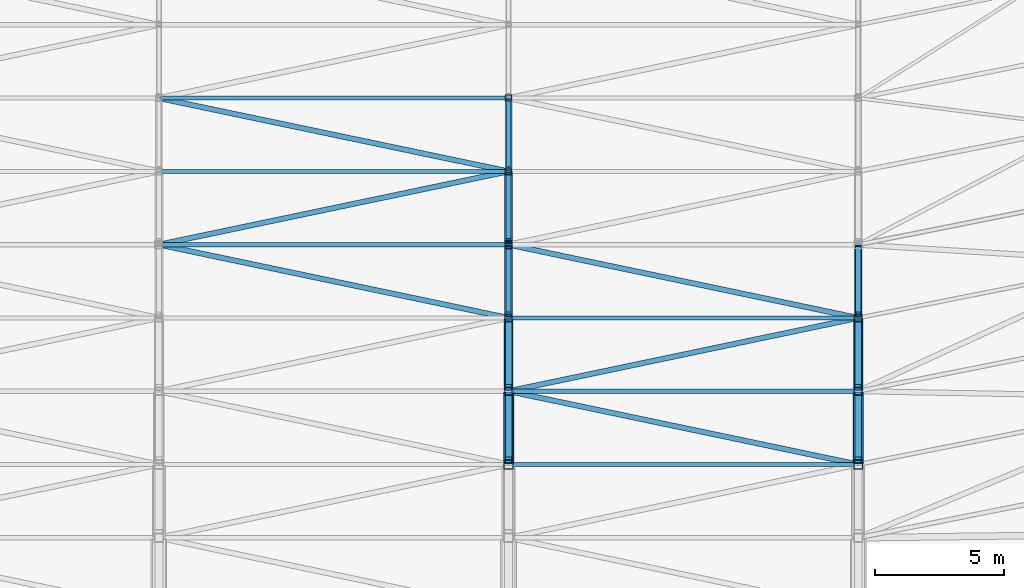
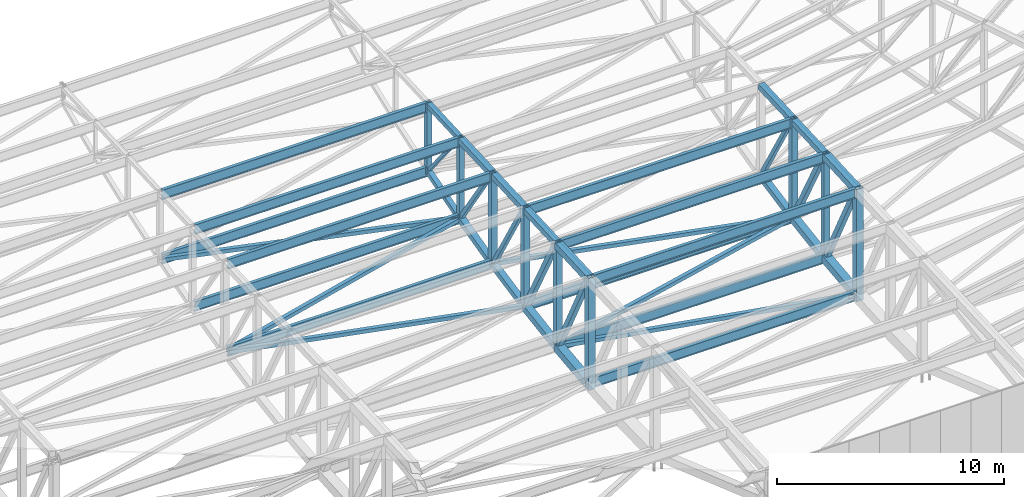
# One storey, part 23 of 278: 26 members, 25 beams.
"""IFC4 building model written with IfcOpenShell, lengths in metres."""

from ifc_helpers import new_model, si_unit, direction, frame, origin, origin_2d, place, context, subcontext, project, spatial, hollow_rectangle, i_section, extrude, material, material_profile, profile_set, type_object, element, save


model = new_model("IFC4")

# Units and contexts
model_context = context("Model", 3, precision=1e-05, world=origin(), true_north=direction((0.0, 1.0)))
body_context = subcontext(model_context, "Body", "Model", "MODEL_VIEW")
ifc_project = project(units=[si_unit("LENGTHUNIT", "METRE"), si_unit("AREAUNIT", "SQUARE_METRE"), si_unit("VOLUMEUNIT", "CUBIC_METRE"), si_unit("PLANEANGLEUNIT", "RADIAN"), si_unit("MASSUNIT", "GRAM", prefix="KILO")], contexts=[model_context])

# Site, building, storey
site_placement = place(None, origin())
site = spatial("IfcSite", under=ifc_project, at=site_placement, CompositionType="ELEMENT")
building_placement = place(site_placement, origin())
building = spatial("IfcBuilding", under=site, at=building_placement, Name="Ogive Plaza Stadium", CompositionType="ELEMENT")
storey_placement = place(building_placement, frame((0.0, 0.0, 29.0)))
storey = spatial("IfcBuildingStorey", under=building, at=storey_placement, Name="Roof", CompositionType="ELEMENT", Elevation=29.0)

# Members
ifc_material_1 = material(Name="Steel ASTM A500 Grade C", Category="steel")
ifc_material_profile_1 = material_profile(ifc_material_1, hollow_rectangle(XDim=0.203125, YDim=0.203125, WallThickness=0.0087890625, at=origin_2d()), Name="HSS8X8X3/8")
ifc_profile_set_1 = profile_set([ifc_material_profile_1], Name="Steel ASTM A500 Grade C")
member_type_1 = type_object("IfcMemberType", Name="Roof plan brace HSS8X8X3/8", PredefinedType="BRACE", material=ifc_profile_set_1)
member_1_placement = place(storey_placement, frame((20.5439453125, -78.280029296875, 1.752685546875), z_axis=(0.977965523229, -0.204948228106, -0.039744926357), x_axis=(0.205110294312, 0.978738865667, 0.0)))
element("IfcMember", 1, at=member_1_placement, inside=storey, type_object=member_type_1, Name="ROOF BRACE B12 6", PredefinedType="BRACE", context=body_context, shape_type="SweptSolid", body=[
    extrude(hollow_rectangle(XDim=0.203125, YDim=0.203125, WallThickness=0.0087890625, at=origin_2d()), origin(), (0.0, 0.0, 1.0), 13.6123046875),
])
member_2_placement = place(storey_placement, frame((33.856201171875, -81.130126953125, 1.201416015625), z_axis=(-0.978282447902, -0.205014644711, -0.030536004664), x_axis=(0.205110294312, -0.978738865667, 0.0)))
element("IfcMember", 2, at=member_2_placement, inside=storey, type_object=member_type_1, Name="ROOF BRACE B12 7", PredefinedType="BRACE", context=body_context, shape_type="SweptSolid", body=[
    extrude(hollow_rectangle(XDim=0.203125, YDim=0.203125, WallThickness=0.0087890625, at=origin_2d()), origin(), (0.0, 0.0, 1.0), 13.607666015625),
])
member_3_placement = place(storey_placement, frame((20.5439453125, -83.980224609375, 0.778564453125), z_axis=(0.978554365022, -0.205067940633, -0.019454933079), x_axis=(0.205106760189, 0.978739606292, 0.0)))
element("IfcMember", 3, at=member_3_placement, inside=storey, type_object=member_type_1, Name="ROOF BRACE B12 8", PredefinedType="BRACE", context=body_context, shape_type="SweptSolid", body=[
    extrude(hollow_rectangle(XDim=0.203125, YDim=0.203125, WallThickness=0.0087890625, at=origin_2d()), origin(), (0.0, 0.0, 1.0), 13.578125),
])
member_4_placement = place(storey_placement, frame((6.89306640625, -72.569580078125, 3.269775390625), z_axis=(0.977081723689, -0.204756162013, -0.058191230868), x_axis=(0.205103719581, 0.978740243483, 0.0)))
element("IfcMember", 4, at=member_4_placement, inside=storey, type_object=member_type_1, Name="ROOF BRACE B13 4", PredefinedType="BRACE", context=body_context, shape_type="SweptSolid", body=[
    extrude(hollow_rectangle(XDim=0.203125, YDim=0.203125, WallThickness=0.0087890625, at=origin_2d()), origin(), (0.0, 0.0, 1.0), 13.702392578125),
])
member_5_placement = place(storey_placement, frame((20.281494140625, -75.4248046875, 2.459228515625), z_axis=(-0.977474612888, -0.204849020574, -0.05079625901), x_axis=(0.205113814972, -0.97873812785, 0.0)))
element("IfcMember", 5, at=member_5_placement, inside=storey, type_object=member_type_1, Name="ROOF BRACE B13 5", PredefinedType="BRACE", context=body_context, shape_type="SweptSolid", body=[
    extrude(hollow_rectangle(XDim=0.203125, YDim=0.203125, WallThickness=0.0087890625, at=origin_2d()), origin(), (0.0, 0.0, 1.0), 13.64501953125),
])
member_6_placement = place(storey_placement, frame((6.94384765625, -78.280029296875, 1.752685546875), z_axis=(0.977965523229, -0.204948228106, -0.039744926357), x_axis=(0.205110294312, 0.978738865667, 0.0)))
element("IfcMember", 6, at=member_6_placement, inside=storey, type_object=member_type_1, Name="ROOF BRACE B13 6", PredefinedType="BRACE", context=body_context, shape_type="SweptSolid", body=[
    extrude(hollow_rectangle(XDim=0.203125, YDim=0.203125, WallThickness=0.0087890625, at=origin_2d()), origin(), (0.0, 0.0, 1.0), 13.6123046875),
])
ifc_material_2 = material(Name="Steel ASTM A992 Grade 50", Category="steel")
ifc_material_profile_2 = material_profile(ifc_material_2, i_section(OverallWidth=0.1650390625, OverallDepth=0.524658203125, WebThickness=0.0087890625, FlangeThickness=0.011474609375, at=origin_2d()), Name="W21X44")
ifc_profile_set_2 = profile_set([ifc_material_profile_2], Name="Steel ASTM A992 Grade 50")
member_type_2 = type_object("IfcMemberType", Name="Roof plan strut W21X44", PredefinedType="STRUT", material=ifc_profile_set_2)
for number, where, z_axis, x_axis, name in (
    (7, (33.877685546875, -81.10009765625, 1.205810546875), (-1.0, 0.0, 0.0), (0.0, -1.0, 0.0), "ROOF STRUT B12 6"),
    (8, (33.877685546875, -83.949951171875, 0.781494140625), (-1.0, 0.0, 0.0), (0.0, -1.0, 0.0), "ROOF STRUT B12 7"),
):
    element("IfcMember", number, at=place(storey_placement, frame(where, z_axis=z_axis, x_axis=x_axis)), inside=storey, type_object=member_type_2, Name=name, PredefinedType="STRUT", context=body_context, shape_type="SweptSolid", body=[
        extrude(i_section(OverallWidth=0.1650390625, OverallDepth=0.524658203125, WebThickness=0.0087890625, FlangeThickness=0.011474609375, at=origin_2d()), origin(), (0.0, 0.0, 1.0), 13.355224609375),
    ])
member_7_placement = place(storey_placement, frame((33.852294921875, -86.800048828125, 0.510986328125), z_axis=(-1.0, 0.0, 0.0), x_axis=(0.0, -1.0, 0.0)))
element("IfcMember", 9, at=member_7_placement, inside=storey, type_object=member_type_2, Name="ROOF STRUT B12 8", PredefinedType="STRUT", context=body_context, shape_type="SweptSolid", body=[
    extrude(i_section(OverallWidth=0.1650390625, OverallDepth=0.524658203125, WebThickness=0.0087890625, FlangeThickness=0.011474609375, at=origin_2d()), origin(), (0.0, 0.0, 1.0), 13.304443359375),
])
member_8_placement = place(storey_placement, frame((20.328369140625, -72.550048828125, 3.275146484375), z_axis=(-1.0, 0.0, 0.0), x_axis=(0.0, -1.0, 0.0)))
element("IfcMember", 10, at=member_8_placement, inside=storey, type_object=member_type_2, Name="ROOF STRUT B13 3", PredefinedType="STRUT", context=body_context, shape_type="SweptSolid", body=[
    extrude(i_section(OverallWidth=0.1650390625, OverallDepth=0.524658203125, WebThickness=0.0087890625, FlangeThickness=0.011474609375, at=origin_2d()), origin(), (0.0, 0.0, 1.0), 13.456787109375),
])
member_9_placement = place(storey_placement, frame((20.302978515625, -75.39990234375, 2.46533203125), z_axis=(-1.0, 0.0, 0.0), x_axis=(0.0, -1.0, 0.0)))
element("IfcMember", 11, at=member_9_placement, inside=storey, type_object=member_type_2, Name="ROOF STRUT B13 4", PredefinedType="STRUT", context=body_context, shape_type="SweptSolid", body=[
    extrude(i_section(OverallWidth=0.1650390625, OverallDepth=0.524658203125, WebThickness=0.0087890625, FlangeThickness=0.011474609375, at=origin_2d()), origin(), (0.0, 0.0, 1.0), 13.406005859375),
])
member_10_placement = place(storey_placement, frame((20.277587890625, -78.25, 1.758544921875), z_axis=(-1.0, 0.0, 0.0), x_axis=(0.0, -1.0, 0.0)))
element("IfcMember", 12, at=member_10_placement, inside=storey, type_object=member_type_2, Name="ROOF STRUT B13 5", PredefinedType="STRUT", context=body_context, shape_type="SweptSolid", body=[
    extrude(i_section(OverallWidth=0.1650390625, OverallDepth=0.524658203125, WebThickness=0.0087890625, FlangeThickness=0.011474609375, at=origin_2d()), origin(), (0.0, 0.0, 1.0), 13.355224609375),
])
ifc_material_3 = material(Name="Steel ASTM A992 Grade 50", Category="steel")
ifc_material_profile_3 = material_profile(ifc_material_3, i_section(OverallWidth=0.1650390625, OverallDepth=0.524658203125, WebThickness=0.0087890625, FlangeThickness=0.011474609375, at=origin_2d()), Name="W21X44")
ifc_profile_set_3 = profile_set([ifc_material_profile_3], Name="Steel ASTM A992 Grade 50")
member_type_3 = type_object("IfcMemberType", Name="Roof purlin W21X44", PredefinedType="PURLIN", material=ifc_profile_set_3)
for number, where, z_axis, x_axis, name in (
    (13, (33.877685546875, -81.10009765625, 6.3076171875), (-1.0, 0.0, 0.0), (0.0, -1.0, 0.0), "ROOF PURLIN B12 6"),
    (14, (33.877685546875, -83.949951171875, 6.1650390625), (-1.0, 0.0, 0.0), (0.0, -1.0, 0.0), "ROOF PURLIN B12 7"),
):
    element("IfcMember", number, at=place(storey_placement, frame(where, z_axis=z_axis, x_axis=x_axis)), inside=storey, type_object=member_type_3, Name=name, PredefinedType="PURLIN", context=body_context, shape_type="SweptSolid", body=[
        extrude(i_section(OverallWidth=0.1650390625, OverallDepth=0.524658203125, WebThickness=0.0087890625, FlangeThickness=0.011474609375, at=origin_2d()), origin(), (0.0, 0.0, 1.0), 13.355224609375),
    ])
member_11_placement = place(storey_placement, frame((33.852294921875, -86.800048828125, 6.022705078125), z_axis=(-1.0, 0.0, 0.0), x_axis=(0.0, -1.0, 0.0)))
element("IfcMember", 15, at=member_11_placement, inside=storey, type_object=member_type_3, Name="ROOF PURLIN B12 8", PredefinedType="PURLIN", context=body_context, shape_type="SweptSolid", body=[
    extrude(i_section(OverallWidth=0.1650390625, OverallDepth=0.524658203125, WebThickness=0.0087890625, FlangeThickness=0.011474609375, at=origin_2d()), origin(), (0.0, 0.0, 1.0), 13.304443359375),
])
member_12_placement = place(storey_placement, frame((20.328369140625, -72.550048828125, 6.735107421875), z_axis=(-1.0, 0.0, 0.0), x_axis=(0.0, -1.0, 0.0)))
element("IfcMember", 16, at=member_12_placement, inside=storey, type_object=member_type_3, Name="ROOF PURLIN B13 3", PredefinedType="PURLIN", context=body_context, shape_type="SweptSolid", body=[
    extrude(i_section(OverallWidth=0.1650390625, OverallDepth=0.524658203125, WebThickness=0.0087890625, FlangeThickness=0.011474609375, at=origin_2d()), origin(), (0.0, 0.0, 1.0), 13.456787109375),
])
member_13_placement = place(storey_placement, frame((20.302978515625, -75.39990234375, 6.592529296875), z_axis=(-1.0, 0.0, 0.0), x_axis=(0.0, -1.0, 0.0)))
element("IfcMember", 17, at=member_13_placement, inside=storey, type_object=member_type_3, Name="ROOF PURLIN B13 4", PredefinedType="PURLIN", context=body_context, shape_type="SweptSolid", body=[
    extrude(i_section(OverallWidth=0.1650390625, OverallDepth=0.524658203125, WebThickness=0.0087890625, FlangeThickness=0.011474609375, at=origin_2d()), origin(), (0.0, 0.0, 1.0), 13.406005859375),
])
member_14_placement = place(storey_placement, frame((20.277587890625, -78.25, 6.4501953125), z_axis=(-1.0, 0.0, 0.0), x_axis=(0.0, -1.0, 0.0)))
element("IfcMember", 18, at=member_14_placement, inside=storey, type_object=member_type_3, Name="ROOF PURLIN B13 5", PredefinedType="PURLIN", context=body_context, shape_type="SweptSolid", body=[
    extrude(i_section(OverallWidth=0.1650390625, OverallDepth=0.524658203125, WebThickness=0.0087890625, FlangeThickness=0.011474609375, at=origin_2d()), origin(), (0.0, 0.0, 1.0), 13.355224609375),
])

# Beams
ifc_material_4 = material(Name="Steel ASTM A500 Grade C", Category="steel")
ifc_material_profile_4 = material_profile(ifc_material_4, hollow_rectangle(XDim=0.25390625, YDim=0.25390625, WallThickness=0.01171875, at=origin_2d()), Name="HSS10X10X1/2")
ifc_profile_set_4 = profile_set([ifc_material_profile_4], Name="Steel ASTM A500 Grade C")
beam_type_1 = type_object("IfcBeamType", Name="Roof truss bottom chord HSS10X10X1/2", PredefinedType="BEAM", material=ifc_profile_set_4)
beam_1_placement = place(storey_placement, frame((20.39990234375, -72.60009765625, 3.265869140625), z_axis=(0.0, -0.959640437259, -0.281229854705), x_axis=(1.0, 0.0, 0.0)))
element("IfcBeam", 19, at=beam_1_placement, inside=storey, type_object=beam_type_1, Name="ROOF TRUSS T13 BOTTOM CHORD 4", PredefinedType="BEAM", context=body_context, shape_type="SweptSolid", body=[
    extrude(hollow_rectangle(XDim=0.25390625, YDim=0.25390625, WallThickness=0.01171875, at=origin_2d()), origin(), (0.0, 0.0, 1.0), 2.86572265625),
])
ifc_material_5 = material(Name="Steel ASTM A500 Grade C", Category="steel")
ifc_material_profile_5 = material_profile(ifc_material_5, hollow_rectangle(XDim=0.3046875, YDim=0.3046875, WallThickness=0.0146484375, at=origin_2d()), Name="HSS12X12X5/8")
ifc_profile_set_5 = profile_set([ifc_material_profile_5], Name="Steel ASTM A500 Grade C")
beam_type_2 = type_object("IfcBeamType", Name="Roof truss bottom chord HSS12X12X5/8", PredefinedType="BEAM", material=ifc_profile_set_5)
beam_2_placement = place(storey_placement, frame((34.0, -78.300048828125, 1.751708984375), z_axis=(0.0, -0.980021250437, -0.19889280704), x_axis=(1.0, 0.0, 0.0)))
element("IfcBeam", 20, at=beam_2_placement, inside=storey, type_object=beam_type_2, Name="ROOF TRUSS T12 BOTTOM CHORD 6", PredefinedType="BEAM", context=body_context, shape_type="SweptSolid", body=[
    extrude(hollow_rectangle(XDim=0.3046875, YDim=0.3046875, WallThickness=0.0146484375, at=origin_2d()), origin(), (0.0, 0.0, 1.0), 2.80615234375),
])
beam_3_placement = place(storey_placement, frame((20.39990234375, -75.449951171875, 2.45751953125), z_axis=(0.0, -0.970607032995, -0.240669872439), x_axis=(1.0, 0.0, 0.0)))
element("IfcBeam", 21, at=beam_3_placement, inside=storey, type_object=beam_type_2, Name="ROOF TRUSS T13 BOTTOM CHORD 5", PredefinedType="BEAM", context=body_context, shape_type="SweptSolid", body=[
    extrude(hollow_rectangle(XDim=0.3046875, YDim=0.3046875, WallThickness=0.0146484375, at=origin_2d()), origin(), (0.0, 0.0, 1.0), 2.833251953125),
])
beam_4_placement = place(storey_placement, frame((20.39990234375, -78.300048828125, 1.751708984375), z_axis=(0.0, -0.980021250437, -0.19889280704), x_axis=(1.0, 0.0, 0.0)))
element("IfcBeam", 22, at=beam_4_placement, inside=storey, type_object=beam_type_2, Name="ROOF TRUSS T13 BOTTOM CHORD 6", PredefinedType="BEAM", context=body_context, shape_type="SweptSolid", body=[
    extrude(hollow_rectangle(XDim=0.3046875, YDim=0.3046875, WallThickness=0.0146484375, at=origin_2d()), origin(), (0.0, 0.0, 1.0), 2.80615234375),
])
ifc_material_6 = material(Name="Steel ASTM A500 Grade C", Category="steel")
ifc_material_profile_6 = material_profile(ifc_material_6, hollow_rectangle(XDim=0.355712890625, YDim=0.355712890625, WallThickness=0.0146484375, at=origin_2d()), Name="HSS14X14X5/8")
ifc_profile_set_6 = profile_set([ifc_material_profile_6], Name="Steel ASTM A500 Grade C")
beam_type_3 = type_object("IfcBeamType", Name="Roof truss bottom chord HSS14X14X5/8", PredefinedType="BEAM", material=ifc_profile_set_6)
for number, where, z_axis, x_axis, name in (
    (23, (34.0, -81.14990234375, 1.2001953125), (0.0, -0.987770074518, -0.155917541947), (1.0, 0.0, 0.0), "ROOF TRUSS T12 BOTTOM CHORD 7"),
    (24, (20.39990234375, -81.14990234375, 1.2001953125), (0.0, -0.987770074518, -0.155917541947), (1.0, 0.0, 0.0), "ROOF TRUSS T13 BOTTOM CHORD 7"),
):
    element("IfcBeam", number, at=place(storey_placement, frame(where, z_axis=z_axis, x_axis=x_axis)), inside=storey, type_object=beam_type_3, Name=name, PredefinedType="BEAM", context=body_context, shape_type="SweptSolid", body=[
        extrude(hollow_rectangle(XDim=0.355712890625, YDim=0.355712890625, WallThickness=0.0146484375, at=origin_2d()), origin(), (0.0, 0.0, 1.0), 2.783935546875),
    ])
ifc_material_7 = material(Name="Steel ASTM A500 Grade C", Category="steel")
ifc_material_profile_7 = material_profile(ifc_material_7, hollow_rectangle(XDim=0.406494140625, YDim=0.406494140625, WallThickness=0.0146484375, at=origin_2d()), Name="HSS16X16X5/8")
ifc_profile_set_7 = profile_set([ifc_material_profile_7], Name="Steel ASTM A500 Grade C")
beam_type_4 = type_object("IfcBeamType", Name="Roof truss bottom chord HSS16X16X5/8", PredefinedType="BEAM", material=ifc_profile_set_7)
for number, where, z_axis, x_axis, name in (
    (25, (34.0, -84.0, 0.777099609375), (0.0, -0.993703844406, -0.112038696946), (1.0, 0.0, 0.0), "ROOF TRUSS T12 BOTTOM CHORD 8"),
    (26, (20.39990234375, -84.0, 0.777099609375), (0.0, -0.993703844406, -0.112038696946), (1.0, 0.0, 0.0), "ROOF TRUSS T13 BOTTOM CHORD 8"),
):
    element("IfcBeam", number, at=place(storey_placement, frame(where, z_axis=z_axis, x_axis=x_axis)), inside=storey, type_object=beam_type_4, Name=name, PredefinedType="BEAM", context=body_context, shape_type="SweptSolid", body=[
        extrude(hollow_rectangle(XDim=0.406494140625, YDim=0.406494140625, WallThickness=0.0146484375, at=origin_2d()), origin(), (0.0, 0.0, 1.0), 2.767333984375),
    ])

# Members
ifc_material_8 = material(Name="Steel ASTM A500 Grade C", Category="steel")
ifc_material_profile_8 = material_profile(ifc_material_8, hollow_rectangle(XDim=0.25390625, YDim=0.25390625, WallThickness=0.0087890625, at=origin_2d()), Name="HSS10X10X3/8")
ifc_profile_set_8 = profile_set([ifc_material_profile_8], Name="Steel ASTM A500 Grade C")
member_type_4 = type_object("IfcMemberType", Name="Roof truss diagonal HSS10X10X3/8", PredefinedType="BRACE", material=ifc_profile_set_8)
member_15_placement = place(storey_placement, frame((34.0, -81.25244140625, 1.383544921875), z_axis=(0.0, -0.473127942579, 0.880993728667), x_axis=(1.0, 0.0, 0.0)))
element("IfcMember", 27, at=member_15_placement, inside=storey, type_object=member_type_4, Name="ROOF TRUSS T12 DIAGONAL 7", PredefinedType="BRACE", context=body_context, shape_type="SweptSolid", body=[
    extrude(hollow_rectangle(XDim=0.25390625, YDim=0.25390625, WallThickness=0.0087890625, at=origin_2d()), origin(), (0.0, 0.0, 1.0), 5.37939453125),
])
member_16_placement = place(storey_placement, frame((34.0, -84.102294921875, 0.984619140625), z_axis=(0.0, -0.454062843231, 0.890969659639), x_axis=(1.0, 0.0, 0.0)))
element("IfcMember", 28, at=member_16_placement, inside=storey, type_object=member_type_4, Name="ROOF TRUSS T12 DIAGONAL 8", PredefinedType="BRACE", context=body_context, shape_type="SweptSolid", body=[
    extrude(hollow_rectangle(XDim=0.25390625, YDim=0.25390625, WallThickness=0.0087890625, at=origin_2d()), origin(), (0.0, 0.0, 1.0), 5.550048828125),
])
member_17_placement = place(storey_placement, frame((20.39990234375, -81.25244140625, 1.383544921875), z_axis=(0.0, -0.473127942579, 0.880993728667), x_axis=(1.0, 0.0, 0.0)))
element("IfcMember", 29, at=member_17_placement, inside=storey, type_object=member_type_4, Name="ROOF TRUSS T13 DIAGONAL 7", PredefinedType="BRACE", context=body_context, shape_type="SweptSolid", body=[
    extrude(hollow_rectangle(XDim=0.25390625, YDim=0.25390625, WallThickness=0.0087890625, at=origin_2d()), origin(), (0.0, 0.0, 1.0), 5.37939453125),
])
member_18_placement = place(storey_placement, frame((20.39990234375, -84.102294921875, 0.984619140625), z_axis=(0.0, -0.454062843231, 0.890969659639), x_axis=(1.0, 0.0, 0.0)))
element("IfcMember", 30, at=member_18_placement, inside=storey, type_object=member_type_4, Name="ROOF TRUSS T13 DIAGONAL 8", PredefinedType="BRACE", context=body_context, shape_type="SweptSolid", body=[
    extrude(hollow_rectangle(XDim=0.25390625, YDim=0.25390625, WallThickness=0.0087890625, at=origin_2d()), origin(), (0.0, 0.0, 1.0), 5.550048828125),
])
ifc_material_9 = material(Name="Steel ASTM A500 Grade C", Category="steel")
ifc_material_profile_9 = material_profile(ifc_material_9, hollow_rectangle(XDim=0.15234375, YDim=0.15234375, WallThickness=0.0087890625, at=origin_2d()), Name="HSS6X6X3/8")
ifc_profile_set_9 = profile_set([ifc_material_profile_9], Name="Steel ASTM A500 Grade C")
member_type_5 = type_object("IfcMemberType", Name="Roof truss diagonal HSS6X6X3/8", PredefinedType="BRACE", material=ifc_profile_set_9)
member_19_placement = place(storey_placement, frame((20.39990234375, -72.677001953125, 3.40234375), z_axis=(0.0, -0.630150764463, 0.77647280316), x_axis=(1.0, 0.0, 0.0)))
element("IfcMember", 31, at=member_19_placement, inside=storey, type_object=member_type_5, Name="ROOF TRUSS T13 DIAGONAL 4", PredefinedType="BRACE", context=body_context, shape_type="SweptSolid", body=[
    extrude(hollow_rectangle(XDim=0.15234375, YDim=0.15234375, WallThickness=0.0087890625, at=origin_2d()), origin(), (0.0, 0.0, 1.0), 4.11962890625),
])
ifc_material_10 = material(Name="Steel ASTM A500 Grade C", Category="steel")
ifc_material_profile_10 = material_profile(ifc_material_10, hollow_rectangle(XDim=0.203125, YDim=0.203125, WallThickness=0.0087890625, at=origin_2d()), Name="HSS8X8X3/8")
ifc_profile_set_10 = profile_set([ifc_material_profile_10], Name="Steel ASTM A500 Grade C")
member_type_6 = type_object("IfcMemberType", Name="Roof truss diagonal HSS8X8X3/8", PredefinedType="BRACE", material=ifc_profile_set_10)
member_20_placement = place(storey_placement, frame((34.0, -78.40234375, 1.9111328125), z_axis=(0.0, -0.504659398762, 0.863318534054), x_axis=(1.0, 0.0, 0.0)))
element("IfcMember", 32, at=member_20_placement, inside=storey, type_object=member_type_6, Name="ROOF TRUSS T12 DIAGONAL 6", PredefinedType="BRACE", context=body_context, shape_type="SweptSolid", body=[
    extrude(hollow_rectangle(XDim=0.203125, YDim=0.203125, WallThickness=0.0087890625, at=origin_2d()), origin(), (0.0, 0.0, 1.0), 5.043212890625),
])
member_21_placement = place(storey_placement, frame((20.39990234375, -75.527099609375, 2.617919921875), z_axis=(0.0, -0.561338440243, 0.827586343233), x_axis=(1.0, 0.0, 0.0)))
element("IfcMember", 33, at=member_21_placement, inside=storey, type_object=member_type_6, Name="ROOF TRUSS T13 DIAGONAL 5", PredefinedType="BRACE", context=body_context, shape_type="SweptSolid", body=[
    extrude(hollow_rectangle(XDim=0.203125, YDim=0.203125, WallThickness=0.0087890625, at=origin_2d()), origin(), (0.0, 0.0, 1.0), 4.579345703125),
])
member_22_placement = place(storey_placement, frame((20.39990234375, -78.40234375, 1.9111328125), z_axis=(0.0, -0.504659398762, 0.863318534054), x_axis=(1.0, 0.0, 0.0)))
element("IfcMember", 34, at=member_22_placement, inside=storey, type_object=member_type_6, Name="ROOF TRUSS T13 DIAGONAL 6", PredefinedType="BRACE", context=body_context, shape_type="SweptSolid", body=[
    extrude(hollow_rectangle(XDim=0.203125, YDim=0.203125, WallThickness=0.0087890625, at=origin_2d()), origin(), (0.0, 0.0, 1.0), 5.043212890625),
])

# Beams
ifc_material_11 = material(Name="Steel ASTM A500 Grade C", Category="steel")
ifc_material_profile_11 = material_profile(ifc_material_11, hollow_rectangle(XDim=0.25390625, YDim=0.25390625, WallThickness=0.01171875, at=origin_2d()), Name="HSS10X10X1/2")
ifc_profile_set_11 = profile_set([ifc_material_profile_11], Name="Steel ASTM A500 Grade C")
beam_type_5 = type_object("IfcBeamType", Name="Roof truss post HSS10X10X1/2", PredefinedType="BEAM", material=ifc_profile_set_11)
beam_5_placement = place(storey_placement, frame((20.39990234375, -72.550048828125, 3.148193359375), z_axis=(0.0, 0.0, 1.0), x_axis=(1.0, 0.0, 0.0)))
element("IfcBeam", 35, at=beam_5_placement, inside=storey, type_object=beam_type_5, Name="ROOF TRUSS T13 POST 4", PredefinedType="BEAM", context=body_context, shape_type="SweptSolid", body=[
    extrude(hollow_rectangle(XDim=0.25390625, YDim=0.25390625, WallThickness=0.01171875, at=origin_2d()), origin(), (0.0, 0.0, 1.0), 3.849365234375),
])
beam_6_placement = place(storey_placement, frame((20.39990234375, -75.39990234375, 2.31298828125), z_axis=(0.0, 0.0, 1.0), x_axis=(1.0, 0.0, 0.0)))
element("IfcBeam", 36, at=beam_6_placement, inside=storey, type_object=beam_type_5, Name="ROOF TRUSS T13 POST 5", PredefinedType="BEAM", context=body_context, shape_type="SweptSolid", body=[
    extrude(hollow_rectangle(XDim=0.25390625, YDim=0.25390625, WallThickness=0.01171875, at=origin_2d()), origin(), (0.0, 0.0, 1.0), 4.5419921875),
])
ifc_material_12 = material(Name="Steel ASTM A500 Grade C", Category="steel")
ifc_material_profile_12 = material_profile(ifc_material_12, hollow_rectangle(XDim=0.3046875, YDim=0.3046875, WallThickness=0.01171875, at=origin_2d()), Name="HSS12X12X1/2")
ifc_profile_set_12 = profile_set([ifc_material_profile_12], Name="Steel ASTM A500 Grade C")
beam_type_6 = type_object("IfcBeamType", Name="Roof truss post HSS12X12X1/2", PredefinedType="BEAM", material=ifc_profile_set_12)
beam_7_placement = place(storey_placement, frame((20.39990234375, -78.25, 1.606201171875), z_axis=(0.0, 0.0, 1.0), x_axis=(1.0, 0.0, 0.0)))
element("IfcBeam", 37, at=beam_7_placement, inside=storey, type_object=beam_type_6, Name="ROOF TRUSS T13 POST 6", PredefinedType="BEAM", context=body_context, shape_type="SweptSolid", body=[
    extrude(hollow_rectangle(XDim=0.3046875, YDim=0.3046875, WallThickness=0.01171875, at=origin_2d()), origin(), (0.0, 0.0, 1.0), 5.106201171875),
])
ifc_material_13 = material(Name="Steel ASTM A500 Grade C", Category="steel")
ifc_material_profile_13 = material_profile(ifc_material_13, hollow_rectangle(XDim=0.3046875, YDim=0.3046875, WallThickness=0.0146484375, at=origin_2d()), Name="HSS12X12X5/8")
ifc_profile_set_13 = profile_set([ifc_material_profile_13], Name="Steel ASTM A500 Grade C")
beam_type_7 = type_object("IfcBeamType", Name="Roof truss post HSS12X12X5/8", PredefinedType="BEAM", material=ifc_profile_set_13)
beam_8_placement = place(storey_placement, frame((34.0, -81.10009765625, 1.028076171875), z_axis=(0.0, 0.0, 1.0), x_axis=(1.0, 0.0, 0.0)))
element("IfcBeam", 38, at=beam_8_placement, inside=storey, type_object=beam_type_7, Name="ROOF TRUSS T12 POST 7", PredefinedType="BEAM", context=body_context, shape_type="SweptSolid", body=[
    extrude(hollow_rectangle(XDim=0.3046875, YDim=0.3046875, WallThickness=0.0146484375, at=origin_2d()), origin(), (0.0, 0.0, 1.0), 5.5419921875),
])
beam_9_placement = place(storey_placement, frame((34.0, -83.949951171875, 0.578369140625), z_axis=(0.0, 0.0, 1.0), x_axis=(1.0, 0.0, 0.0)))
element("IfcBeam", 39, at=beam_9_placement, inside=storey, type_object=beam_type_7, Name="ROOF TRUSS T12 POST 8", PredefinedType="BEAM", context=body_context, shape_type="SweptSolid", body=[
    extrude(hollow_rectangle(XDim=0.3046875, YDim=0.3046875, WallThickness=0.0146484375, at=origin_2d()), origin(), (0.0, 0.0, 1.0), 5.84912109375),
])
beam_10_placement = place(storey_placement, frame((20.39990234375, -81.10009765625, 1.028076171875), z_axis=(0.0, 0.0, 1.0), x_axis=(1.0, 0.0, 0.0)))
element("IfcBeam", 40, at=beam_10_placement, inside=storey, type_object=beam_type_7, Name="ROOF TRUSS T13 POST 7", PredefinedType="BEAM", context=body_context, shape_type="SweptSolid", body=[
    extrude(hollow_rectangle(XDim=0.3046875, YDim=0.3046875, WallThickness=0.0146484375, at=origin_2d()), origin(), (0.0, 0.0, 1.0), 5.5419921875),
])
beam_11_placement = place(storey_placement, frame((20.39990234375, -83.949951171875, 0.578369140625), z_axis=(0.0, 0.0, 1.0), x_axis=(1.0, 0.0, 0.0)))
element("IfcBeam", 41, at=beam_11_placement, inside=storey, type_object=beam_type_7, Name="ROOF TRUSS T13 POST 8", PredefinedType="BEAM", context=body_context, shape_type="SweptSolid", body=[
    extrude(hollow_rectangle(XDim=0.3046875, YDim=0.3046875, WallThickness=0.0146484375, at=origin_2d()), origin(), (0.0, 0.0, 1.0), 5.84912109375),
])
ifc_material_14 = material(Name="Steel ASTM A500 Grade C", Category="steel")
ifc_material_profile_14 = material_profile(ifc_material_14, hollow_rectangle(XDim=0.355712890625, YDim=0.355712890625, WallThickness=0.0146484375, at=origin_2d()), Name="HSS14X14X5/8")
ifc_profile_set_14 = profile_set([ifc_material_profile_14], Name="Steel ASTM A500 Grade C")
beam_type_8 = type_object("IfcBeamType", Name="Roof truss post HSS14X14X5/8", PredefinedType="BEAM", material=ifc_profile_set_14)
for number, where, z_axis, x_axis, name in (
    (42, (34.0, -86.800048828125, 0.257080078125), (0.0, 0.0, 1.0), (1.0, 0.0, 0.0), "ROOF TRUSS T12 POST 9"),
    (43, (20.39990234375, -86.800048828125, 0.257080078125), (0.0, 0.0, 1.0), (1.0, 0.0, 0.0), "ROOF TRUSS T13 POST 9"),
):
    element("IfcBeam", number, at=place(storey_placement, frame(where, z_axis=z_axis, x_axis=x_axis)), inside=storey, type_object=beam_type_8, Name=name, PredefinedType="BEAM", context=body_context, shape_type="SweptSolid", body=[
        extrude(hollow_rectangle(XDim=0.355712890625, YDim=0.355712890625, WallThickness=0.0146484375, at=origin_2d()), origin(), (0.0, 0.0, 1.0), 6.02783203125),
    ])
ifc_material_15 = material(Name="Steel ASTM A500 Grade C", Category="steel")
ifc_material_profile_15 = material_profile(ifc_material_15, hollow_rectangle(XDim=0.25390625, YDim=0.25390625, WallThickness=0.0087890625, at=origin_2d()), Name="HSS10X10X3/8")
ifc_profile_set_15 = profile_set([ifc_material_profile_15], Name="Steel ASTM A500 Grade C")
beam_type_9 = type_object("IfcBeamType", Name="Roof truss top chord HSS10X10X3/8", PredefinedType="BEAM", material=ifc_profile_set_15)
beam_12_placement = place(storey_placement, frame((20.39990234375, -72.60009765625, 6.867919921875), z_axis=(0.0, -0.998748798523, -0.05000837379), x_axis=(1.0, 0.0, 0.0)))
element("IfcBeam", 44, at=beam_12_placement, inside=storey, type_object=beam_type_9, Name="ROOF TRUSS T13 TOP CHORD 4", PredefinedType="BEAM", context=body_context, shape_type="SweptSolid", body=[
    extrude(hollow_rectangle(XDim=0.25390625, YDim=0.25390625, WallThickness=0.0087890625, at=origin_2d()), origin(), (0.0, 0.0, 1.0), 2.75341796875),
])
ifc_material_16 = material(Name="Steel ASTM A500 Grade C", Category="steel")
ifc_material_profile_16 = material_profile(ifc_material_16, hollow_rectangle(XDim=0.3046875, YDim=0.3046875, WallThickness=0.01171875, at=origin_2d()), Name="HSS12X12X1/2")
ifc_profile_set_16 = profile_set([ifc_material_profile_16], Name="Steel ASTM A500 Grade C")
beam_type_10 = type_object("IfcBeamType", Name="Roof truss top chord HSS12X12X1/2", PredefinedType="BEAM", material=ifc_profile_set_16)
for number, where, z_axis, x_axis, name in (
    (45, (34.0, -81.14990234375, 6.414794921875), (0.0, -0.998753223187, -0.049919927615), (1.0, 0.0, 0.0), "ROOF TRUSS T12 TOP CHORD 7"),
    (46, (20.39990234375, -81.14990234375, 6.414794921875), (0.0, -0.998753223187, -0.049919927615), (1.0, 0.0, 0.0), "ROOF TRUSS T13 TOP CHORD 7"),
):
    element("IfcBeam", number, at=place(storey_placement, frame(where, z_axis=z_axis, x_axis=x_axis)), inside=storey, type_object=beam_type_10, Name=name, PredefinedType="BEAM", context=body_context, shape_type="SweptSolid", body=[
        extrude(hollow_rectangle(XDim=0.3046875, YDim=0.3046875, WallThickness=0.01171875, at=origin_2d()), origin(), (0.0, 0.0, 1.0), 2.75341796875),
    ])
ifc_material_17 = material(Name="Steel ASTM A500 Grade C", Category="steel")
ifc_material_profile_17 = material_profile(ifc_material_17, hollow_rectangle(XDim=0.3046875, YDim=0.3046875, WallThickness=0.0087890625, at=origin_2d()), Name="HSS12X12X3/8")
ifc_profile_set_17 = profile_set([ifc_material_profile_17], Name="Steel ASTM A500 Grade C")
beam_type_11 = type_object("IfcBeamType", Name="Roof truss top chord HSS12X12X3/8", PredefinedType="BEAM", material=ifc_profile_set_17)
for number, where, z_axis, x_axis, name in (
    (47, (34.0, -78.300048828125, 6.557373046875), (0.0, -0.998753223187, -0.049919927615), (1.0, 0.0, 0.0), "ROOF TRUSS T12 TOP CHORD 6"),
    (48, (20.39990234375, -75.449951171875, 6.699951171875), (0.0, -0.998753223187, -0.049919927615), (1.0, 0.0, 0.0), "ROOF TRUSS T13 TOP CHORD 5"),
    (49, (20.39990234375, -78.300048828125, 6.557373046875), (0.0, -0.998753223187, -0.049919927615), (1.0, 0.0, 0.0), "ROOF TRUSS T13 TOP CHORD 6"),
):
    element("IfcBeam", number, at=place(storey_placement, frame(where, z_axis=z_axis, x_axis=x_axis)), inside=storey, type_object=beam_type_11, Name=name, PredefinedType="BEAM", context=body_context, shape_type="SweptSolid", body=[
        extrude(hollow_rectangle(XDim=0.3046875, YDim=0.3046875, WallThickness=0.0087890625, at=origin_2d()), origin(), (0.0, 0.0, 1.0), 2.75341796875),
    ])
ifc_material_18 = material(Name="Steel ASTM A500 Grade C", Category="steel")
ifc_material_profile_18 = material_profile(ifc_material_18, hollow_rectangle(XDim=0.355712890625, YDim=0.355712890625, WallThickness=0.01171875, at=origin_2d()), Name="HSS14X14X1/2")
ifc_profile_set_18 = profile_set([ifc_material_profile_18], Name="Steel ASTM A500 Grade C")
beam_type_12 = type_object("IfcBeamType", Name="Roof truss top chord HSS14X14X1/2", PredefinedType="BEAM", material=ifc_profile_set_18)
for number, where, z_axis, x_axis, name in (
    (50, (34.0, -84.0, 6.2470703125), (0.0, -0.998748798523, -0.05000837379), (1.0, 0.0, 0.0), "ROOF TRUSS T12 TOP CHORD 8"),
    (51, (20.39990234375, -84.0, 6.2470703125), (0.0, -0.998748798523, -0.05000837379), (1.0, 0.0, 0.0), "ROOF TRUSS T13 TOP CHORD 8"),
):
    element("IfcBeam", number, at=place(storey_placement, frame(where, z_axis=z_axis, x_axis=x_axis)), inside=storey, type_object=beam_type_12, Name=name, PredefinedType="BEAM", context=body_context, shape_type="SweptSolid", body=[
        extrude(hollow_rectangle(XDim=0.355712890625, YDim=0.355712890625, WallThickness=0.01171875, at=origin_2d()), origin(), (0.0, 0.0, 1.0), 2.75341796875),
    ])

save(model, "model.ifc")
